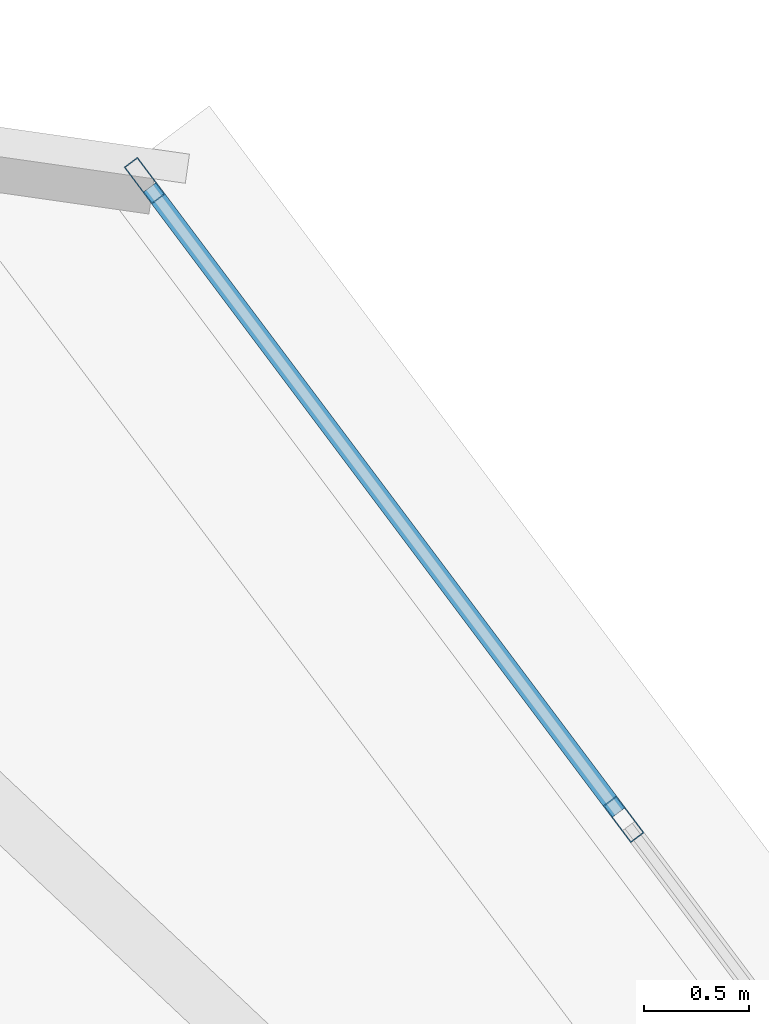
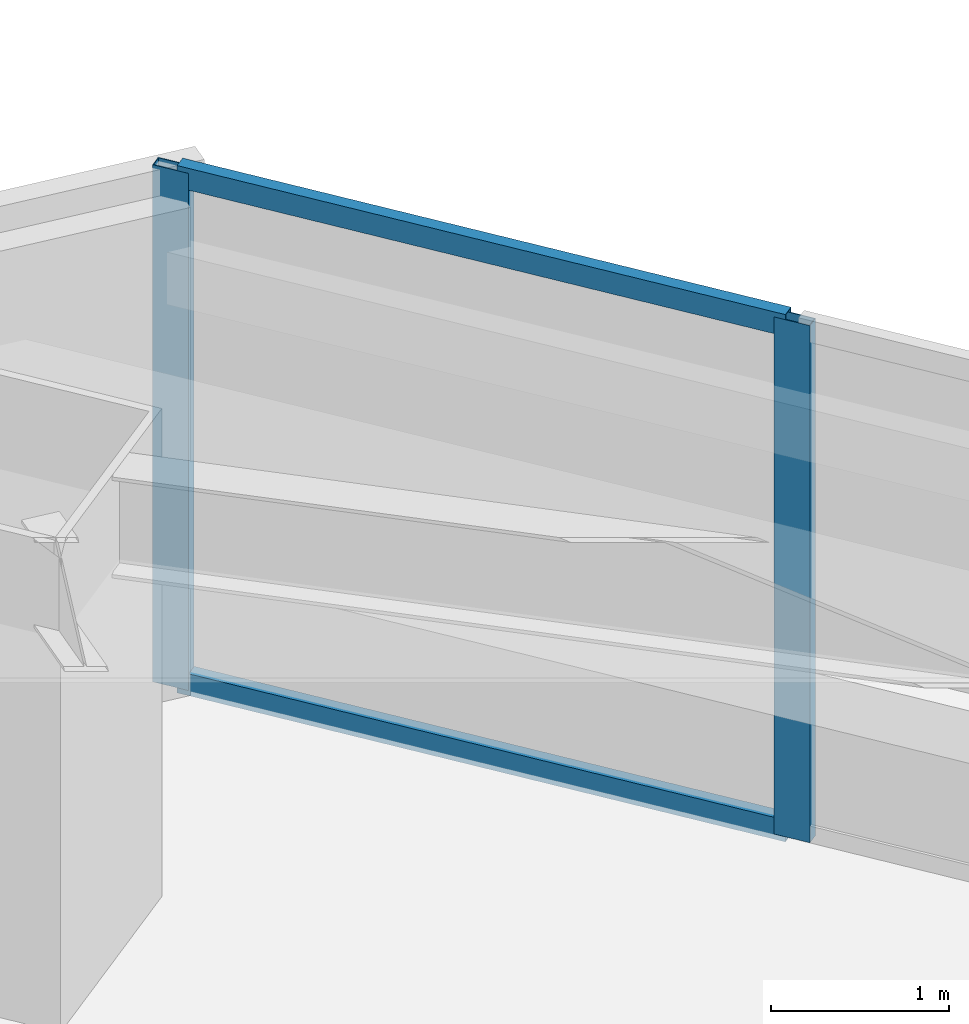
# One storey, part 40 of 54: 4 members, 1 element without a shape of its own.
"""IFC4 building model written with IfcOpenShell, lengths in metres."""

from ifc_helpers import new_model, si_unit, direction, frame, origin, origin_2d, place, context, subcontext, project, spatial, hollow_rectangle, extrude, material, material_profile, profile_set, type_object, element, aggregate, save


model = new_model("IFC4")

# Units and contexts
model_context = context("Model", 3, precision=1e-05, world=origin(), true_north=direction((0.0, 1.0)))
body_context = subcontext(model_context, "Body", "Model", "MODEL_VIEW")
ifc_project = project(units=[si_unit("LENGTHUNIT", "METRE"), si_unit("AREAUNIT", "SQUARE_METRE"), si_unit("VOLUMEUNIT", "CUBIC_METRE"), si_unit("PLANEANGLEUNIT", "RADIAN"), si_unit("MASSUNIT", "GRAM", prefix="KILO")], contexts=[model_context])

# Site, building, storey
site_placement = place(None, origin())
site = spatial("IfcSite", under=ifc_project, at=site_placement, CompositionType="ELEMENT")
building_placement = place(site_placement, origin())
building = spatial("IfcBuilding", under=site, at=building_placement, Name="Tashvorn Skyway Center", CompositionType="ELEMENT")
storey_placement = place(building_placement, frame((0.0, 0.0, 88.5)))
storey = spatial("IfcBuildingStorey", under=building, at=storey_placement, Name="L23", CompositionType="ELEMENT", Elevation=88.5)

# Curtain wall, members
ifc_material = material(Name="Thermally broken bronze-anodized aluminium 6063-T6", Category="aluminium")
curtain_wall_type = type_object("IfcCurtainWallType", Name="CW-CW-Z2", PredefinedType="NOTDEFINED", material=ifc_material)
curtain_wall_placement = place(storey_placement, origin())
curtain_wall = element("IfcCurtainWall", 1, at=curtain_wall_placement, inside=storey, type_object=curtain_wall_type, Name="Tower 2 L23 East Unitised Curtain Wall Glazing Group 1", PredefinedType="NOTDEFINED")
ifc_material_profile_1 = material_profile(ifc_material, hollow_rectangle(XDim=0.080078125, YDim=0.219970703125, WallThickness=0.0048828125, at=origin_2d()), Name="ALU-MULL-80x220")
ifc_profile_set_1 = profile_set([ifc_material_profile_1], Name="Thermally broken bronze-anodized aluminium 6063-T6")
member_type_1 = type_object("IfcMemberType", Name="CWM-CW-Z2", PredefinedType="MULLION", material=ifc_profile_set_1)
member_1_placement = place(storey_placement, frame((119.56005859375, 57.719970703125, 0.0), z_axis=(0.0, 0.0, 1.0), x_axis=(0.799999999998, 0.600000000002, 0.0)))
member_1 = element("IfcMember", 2, at=member_1_placement, type_object=member_type_1, Name="CW-Z2 mullion 1", PredefinedType="MULLION", context=body_context, shape_type="SweptSolid", body=[
    extrude(hollow_rectangle(XDim=0.080078125, YDim=0.219970703125, WallThickness=0.0048828125, at=origin_2d()), origin(), (0.0, 0.0, 1.0), 3.550048828125),
])
member_2_placement = place(storey_placement, frame((121.840087890625, 54.679931640625, 0.0), z_axis=(0.0, 0.0, 1.0), x_axis=(0.799999999998, 0.600000000002, 0.0)))
member_2 = element("IfcMember", 3, at=member_2_placement, type_object=member_type_1, Name="CW-Z2 mullion 2", PredefinedType="MULLION", context=body_context, shape_type="SweptSolid", body=[
    extrude(hollow_rectangle(XDim=0.080078125, YDim=0.219970703125, WallThickness=0.0048828125, at=origin_2d()), origin(), (0.0, 0.0, 1.0), 3.550048828125),
])
ifc_material_profile_2 = material_profile(ifc_material, hollow_rectangle(XDim=0.080078125, YDim=0.14990234375, WallThickness=0.00439453125, at=origin_2d()), Name="ALU-TRAN-80x150")
ifc_profile_set_2 = profile_set([ifc_material_profile_2], Name="Thermally broken bronze-anodized aluminium 6063-T6")
member_type_2 = type_object("IfcMemberType", Name="CWT-CW-Z2", PredefinedType="USERDEFINED", material=ifc_profile_set_2)
member_3_placement = place(storey_placement, frame((119.583984375, 57.68798828125, 0.0400390625), z_axis=(0.599978998559, -0.80001575065, 0.0), x_axis=(0.80001575065, 0.599978998559, 0.0)))
member_3 = element("IfcMember", 4, at=member_3_placement, type_object=member_type_2, Name="CW-Z2 transom 1.1", ObjectType="TRANSOM", PredefinedType="USERDEFINED", context=body_context, shape_type="SweptSolid", body=[
    extrude(hollow_rectangle(XDim=0.080078125, YDim=0.14990234375, WallThickness=0.00439453125, at=origin_2d()), origin(), (0.0, 0.0, 1.0), 3.719970703125),
])
member_4_placement = place(storey_placement, frame((119.583984375, 57.68798828125, 3.510009765625), z_axis=(0.599978998559, -0.80001575065, 0.0), x_axis=(0.80001575065, 0.599978998559, 0.0)))
member_4 = element("IfcMember", 5, at=member_4_placement, type_object=member_type_2, Name="CW-Z2 transom 1.2", ObjectType="TRANSOM", PredefinedType="USERDEFINED", context=body_context, shape_type="SweptSolid", body=[
    extrude(hollow_rectangle(XDim=0.080078125, YDim=0.14990234375, WallThickness=0.00439453125, at=origin_2d()), origin(), (0.0, 0.0, 1.0), 3.719970703125),
])
aggregate(curtain_wall, [member_1, member_2, member_3, member_4])

save(model, "model.ifc")
